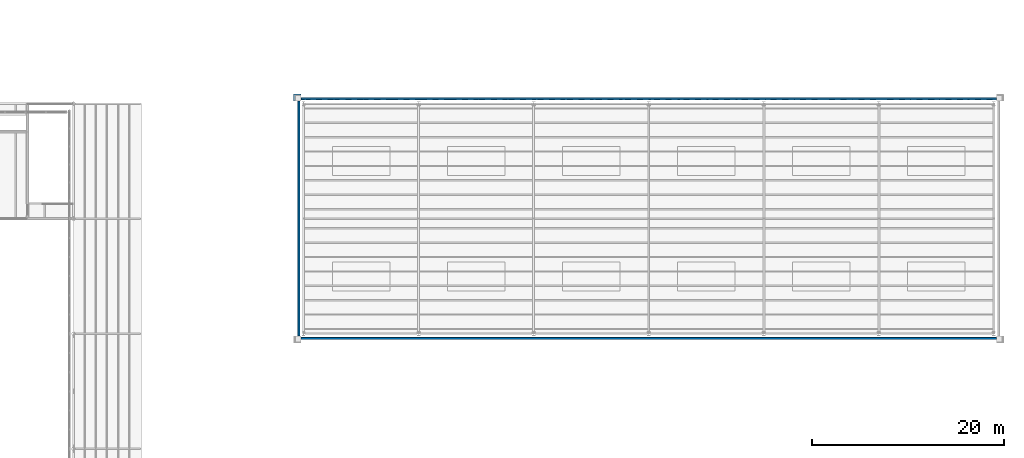
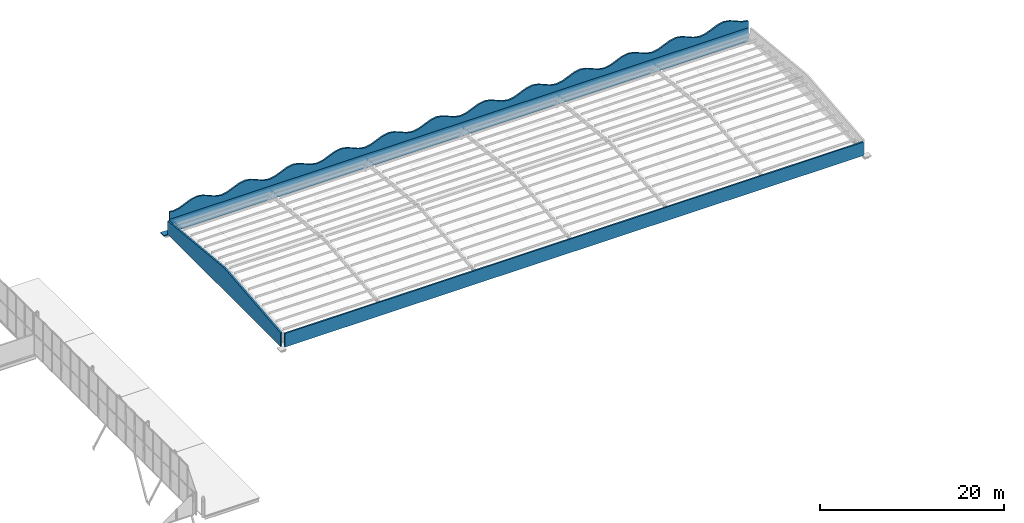
# One storey, part 116 of 170: 5 walls.
"""IFC4 building model written with IfcOpenShell, lengths in metres."""

from ifc_helpers import new_model, si_unit, direction, frame, frame_2d, origin, place, context, subcontext, project, spatial, polyline, rectangle, outline, extrude, material, layer, layer_set, type_object, element, save


model = new_model("IFC4")

# Units and contexts
model_context = context("Model", 3, precision=1e-05, world=origin(), true_north=direction((0.0, 1.0)))
body_context = subcontext(model_context, "Body", "Model", "MODEL_VIEW")
ifc_project = project(units=[si_unit("LENGTHUNIT", "METRE"), si_unit("AREAUNIT", "SQUARE_METRE"), si_unit("VOLUMEUNIT", "CUBIC_METRE"), si_unit("PLANEANGLEUNIT", "RADIAN"), si_unit("MASSUNIT", "GRAM", prefix="KILO")], contexts=[model_context])

# Site, building, storey
site_placement = place(None, origin())
site = spatial("IfcSite", under=ifc_project, at=site_placement, CompositionType="ELEMENT")
building_placement = place(site_placement, origin())
building = spatial("IfcBuilding", under=site, at=building_placement, Name="Ravi Spectrum Wholesale Market", CompositionType="ELEMENT")
storey_placement = place(building_placement, frame((0.0, 0.0, 5.39990234375)))
storey = spatial("IfcBuildingStorey", under=building, at=storey_placement, Name="L01", CompositionType="ELEMENT", Elevation=5.39990234375)

# Walls
ifc_material_1 = material(Name="Clinker brickwork", Category="masonry")
ifc_layer_1 = layer(ifc_material_1, 0.735107421875)
ifc_layer_set_1 = layer_set([ifc_layer_1], Name="Clinker brickwork")
wall_type_1 = type_object("IfcWallType", Name="Brick corbel 735", PredefinedType="SOLIDWALL", material=ifc_layer_set_1)
wall_1_placement = place(storey_placement, frame((221.75, 186.617431640625, -0.1298828125), z_axis=(0.0, 0.0, 1.0), x_axis=(-1.0, 0.0, 0.0)))
element("IfcWall", 1, at=wall_1_placement, inside=storey, type_object=wall_type_1, Name="GS-WL-L01-016", PredefinedType="SOLIDWALL", context=body_context, shape_type="SweptSolid", body=[
    extrude(rectangle(XDim=0.800048828125, YDim=0.735107421875, at=frame_2d((0.39990234375, 0.0))), origin(), (0.0, 0.0, 1.0), 0.1298828125),
])
ifc_material_2 = material(Name="Facing brickwork", Category="masonry")
ifc_layer_2 = layer(ifc_material_2, 0.199951171875)
ifc_layer_set_2 = layer_set([ifc_layer_2], Name="Facing brickwork")
wall_type_2 = type_object("IfcWallType", Name="Brick parapet 200", PredefinedType="PARAPET", material=ifc_layer_set_2)
wall_2_placement = place(storey_placement, frame((294.25, 186.489990234375, 1.800048828125), z_axis=(0.0, 0.0, 1.0), x_axis=(-1.0, 0.0, 0.0)))
element("IfcWall", 2, at=wall_2_placement, inside=storey, type_object=wall_type_2, Name="GS-WL-L01-017", PredefinedType="PARAPET", context=body_context, shape_type="SweptSolid", body=[
    extrude(outline(polyline([(0.0, 0.0), (72.5, 0.0), (72.5, 0.96044921875), (72.0, 0.900146484375), (71.25, 1.03173828125), (70.5, 1.35009765625), (69.75, 1.668212890625), (69.0, 1.800048828125), (68.25, 1.668212890625), (67.5, 1.35009765625), (66.75, 1.03173828125), (66.0, 0.900146484375), (65.25, 1.03173828125), (64.5, 1.35009765625), (63.75, 1.668212890625), (63.0, 1.800048828125), (62.25, 1.668212890625), (61.5, 1.35009765625), (60.75, 1.03173828125), (60.0, 0.900146484375), (59.25, 1.03173828125), (58.5, 1.35009765625), (57.75, 1.668212890625), (57.0, 1.800048828125), (56.25, 1.668212890625), (55.5, 1.35009765625), (54.75, 1.03173828125), (54.0, 0.900146484375), (53.25, 1.03173828125), (52.5, 1.35009765625), (51.75, 1.668212890625), (51.0, 1.800048828125), (50.25, 1.668212890625), (49.5, 1.35009765625), (48.75, 1.03173828125), (48.0, 0.900146484375), (47.25, 1.03173828125), (46.5, 1.35009765625), (45.75, 1.668212890625), (45.0, 1.800048828125), (44.25, 1.668212890625), (43.5, 1.35009765625), (42.75, 1.03173828125), (42.0, 0.900146484375), (41.25, 1.03173828125), (40.5, 1.35009765625), (39.75, 1.668212890625), (39.0, 1.800048828125), (38.25, 1.668212890625), (37.5, 1.35009765625), (36.75, 1.03173828125), (36.0, 0.900146484375), (35.25, 1.03173828125), (34.5, 1.35009765625), (33.75, 1.668212890625), (33.0, 1.800048828125), (32.25, 1.668212890625), (31.5, 1.35009765625), (30.75, 1.03173828125), (30.0, 0.900146484375), (29.25, 1.03173828125), (28.5, 1.35009765625), (27.75, 1.668212890625), (27.0, 1.800048828125), (26.25, 1.668212890625), (25.5, 1.35009765625), (24.75, 1.03173828125), (24.0, 0.900146484375), (23.25, 1.03173828125), (22.5, 1.35009765625), (21.75, 1.668212890625), (21.0, 1.800048828125), (20.25, 1.668212890625), (19.5, 1.35009765625), (18.75, 1.03173828125), (18.0, 0.900146484375), (17.25, 1.03173828125), (16.5, 1.35009765625), (15.75, 1.668212890625), (15.0, 1.800048828125), (14.25, 1.668212890625), (13.5, 1.35009765625), (12.75, 1.03173828125), (12.0, 0.900146484375), (11.25, 1.03173828125), (10.5, 1.35009765625), (9.75, 1.668212890625), (9.0, 1.800048828125), (8.25, 1.668212890625), (7.5, 1.35009765625), (6.75, 1.03173828125), (6.0, 0.900146484375), (5.25, 1.03173828125), (4.5, 1.35009765625), (3.75, 1.668212890625), (3.0, 1.800048828125), (2.25, 1.668212890625), (1.5, 1.35009765625), (0.75, 1.03173828125), (0.0, 0.900146484375), (0.0, 0.0)])), frame((0.0, 0.10009765625, 0.0), z_axis=(0.0, -1.0, 0.0), x_axis=(1.0, 0.0, 0.0)), (0.0, 0.0, 1.0), 0.199951171875),
])
ifc_material_3 = material(Name="Insulated panel")
ifc_layer_3 = layer(ifc_material_3, 0.199951171875)
ifc_layer_set_3 = layer_set([ifc_layer_3], Name="Insulated panel")
wall_type_3 = type_object("IfcWallType", Name="Insulated sandwich panel 200", PredefinedType="SOLIDWALL", material=ifc_layer_set_3)
for number, where, z_axis, x_axis, name in (
    (3, (221.75, 161.510009765625, 0.0), (0.0, 0.0, 1.0), (1.0, 0.0, 0.0), "GS-WL-L01-001"),
    (4, (294.25, 186.489990234375, 0.0), (0.0, 0.0, 1.0), (-1.0, 0.0, 0.0), "GS-WL-L01-003"),
):
    element("IfcWall", number, at=place(storey_placement, frame(where, z_axis=z_axis, x_axis=x_axis)), inside=storey, type_object=wall_type_3, Name=name, PredefinedType="SOLIDWALL", context=body_context, shape_type="SweptSolid", body=[
        extrude(rectangle(XDim=72.5, YDim=0.199951171875, at=frame_2d((36.25, 0.0))), origin(), (0.0, 0.0, 1.0), 1.800048828125),
    ])
wall_3_placement = place(storey_placement, frame((221.510009765625, 186.25, 0.0), z_axis=(0.0, 0.0, 1.0), x_axis=(0.0, -1.0, 0.0)))
element("IfcWall", 5, at=wall_3_placement, inside=storey, type_object=wall_type_3, Name="GS-WL-L01-004", PredefinedType="SOLIDWALL", context=body_context, shape_type="SweptSolid", body=[
    extrude(outline(polyline([(0.0, 0.0), (24.5, 0.0), (24.5, 1.800048828125), (12.25, 3.0), (0.0, 1.800048828125), (0.0, 0.0)])), frame((0.0, 0.10009765625, 0.0), z_axis=(0.0, -1.0, 0.0), x_axis=(1.0, 0.0, 0.0)), (0.0, 0.0, 1.0), 0.199951171875),
])

save(model, "model.ifc")
